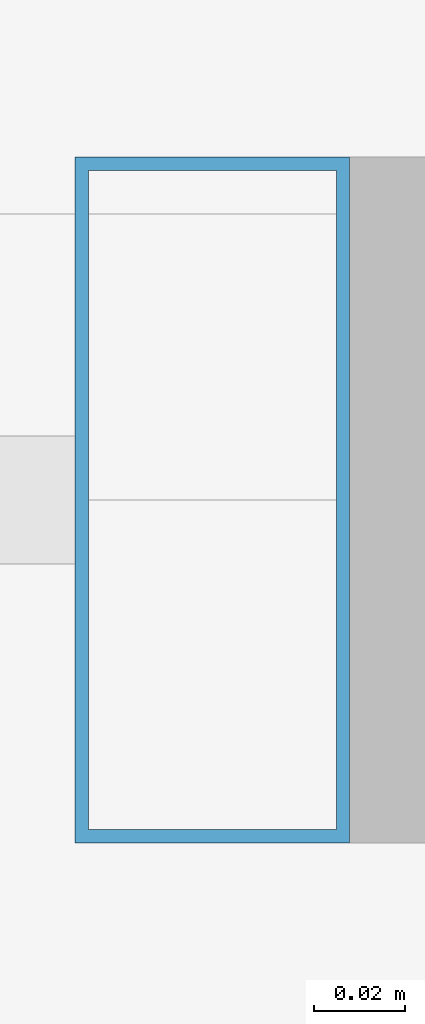
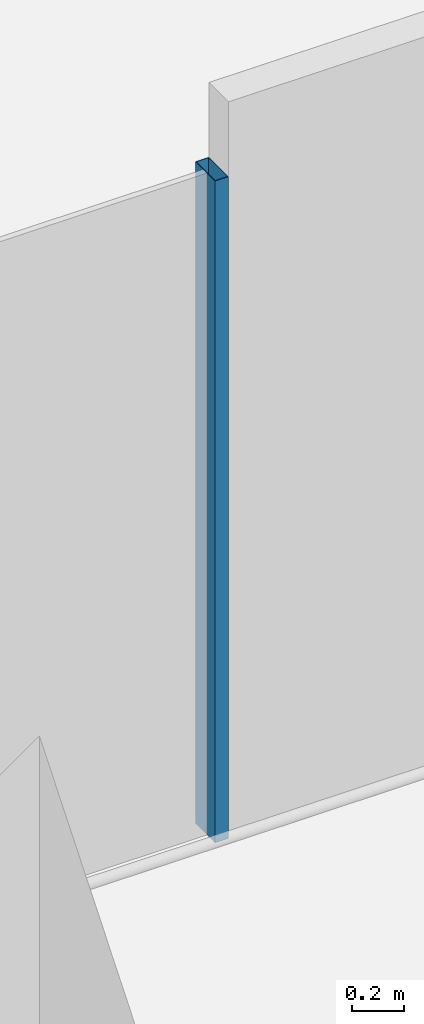
# One storey, part 7 of 56: 1 member, 1 element without a shape of its own.
"""IFC4 building model written with IfcOpenShell, lengths in metres."""

from ifc_helpers import new_model, si_unit, direction, frame, origin, origin_2d, place, context, subcontext, project, spatial, hollow_rectangle, extrude, material, material_profile, profile_set, type_object, element, aggregate, save


model = new_model("IFC4")

# Units and contexts
model_context = context("Model", 3, precision=1e-05, world=origin(), true_north=direction((0.0, 1.0)))
body_context = subcontext(model_context, "Body", "Model", "MODEL_VIEW")
ifc_project = project(units=[si_unit("LENGTHUNIT", "METRE"), si_unit("AREAUNIT", "SQUARE_METRE"), si_unit("VOLUMEUNIT", "CUBIC_METRE"), si_unit("PLANEANGLEUNIT", "RADIAN"), si_unit("MASSUNIT", "GRAM", prefix="KILO")], contexts=[model_context])

# Site, building, storey
site_placement = place(None, origin())
site = spatial("IfcSite", under=ifc_project, at=site_placement, CompositionType="ELEMENT")
building_placement = place(site_placement, origin())
building = spatial("IfcBuilding", under=site, at=building_placement, Name="Altepetl Exchange Towers", CompositionType="ELEMENT")
storey_placement = place(building_placement, frame((0.0, 0.0, 51.0)))
storey = spatial("IfcBuildingStorey", under=building, at=storey_placement, Name="L11", CompositionType="ELEMENT", Elevation=51.0)

# Curtain wall, member
ifc_material_1 = material(Name="Aluminium 6063-T6 glazing", Category="aluminium")
curtain_wall_type = type_object("IfcCurtainWallType", Name="Loggia glazing system", PredefinedType="NOTDEFINED", material=ifc_material_1)
curtain_wall_placement = place(storey_placement, origin())
curtain_wall = element("IfcCurtainWall", 1, at=curtain_wall_placement, inside=storey, type_object=curtain_wall_type, Name="CW1 run", PredefinedType="NOTDEFINED")
ifc_material_2 = material(Name="Aluminium 6063-T6", Category="aluminium")
ifc_material_profile = material_profile(ifc_material_2, hollow_rectangle(XDim=0.06005859375, YDim=0.14990234375, WallThickness=0.0029296875, at=origin_2d()), Name="Mullion 60x150 aluminium")
ifc_profile_set = profile_set([ifc_material_profile], Name="Aluminium 6063-T6")
member_type = type_object("IfcMemberType", Name="Mullion 60x150 aluminium", PredefinedType="MULLION", material=ifc_profile_set)
member_placement = place(storey_placement, frame((47.152099609375, 29.0, 0.0)))
member = element("IfcMember", 2, at=member_placement, type_object=member_type, Name="MU1 mullion", PredefinedType="MULLION", context=body_context, shape_type="SweptSolid", body=[
    extrude(hollow_rectangle(XDim=0.06005859375, YDim=0.14990234375, WallThickness=0.0029296875, at=origin_2d()), origin(), (0.0, 0.0, 1.0), 3.10009765625),
])
aggregate(curtain_wall, [member])

save(model, "model.ifc")
